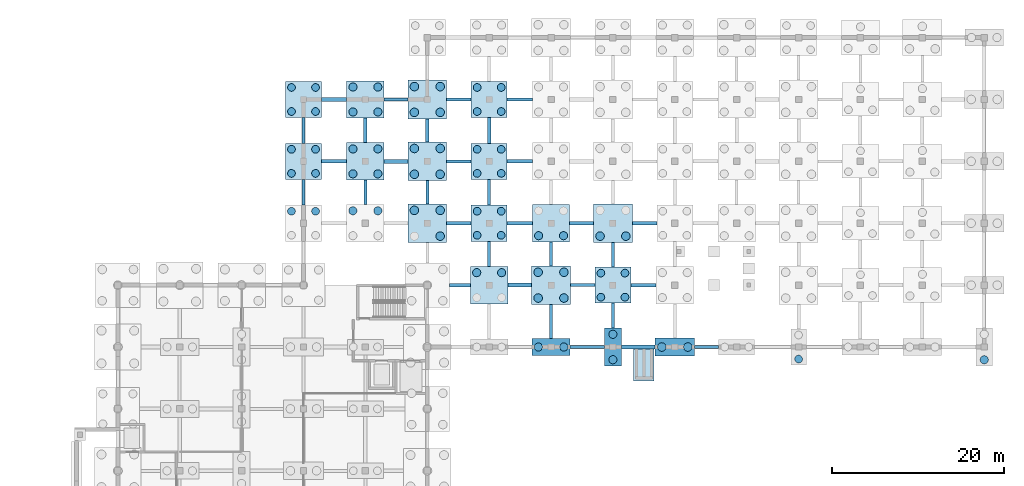
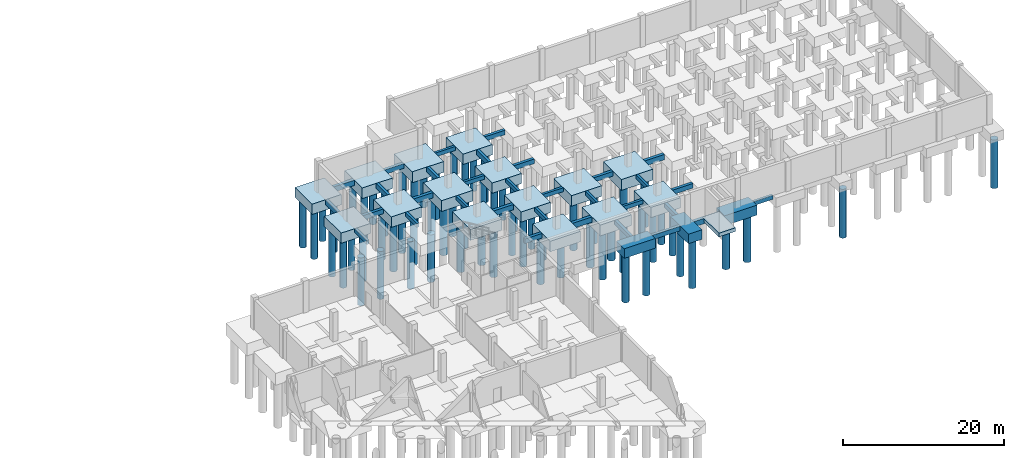
# One storey, part 13 of 35: 65 piles, 51 footings.
"""IFC4 building model written with IfcOpenShell, lengths in metres."""

from ifc_helpers import new_model, si_unit, direction, frame, origin, origin_2d, place, context, subcontext, project, spatial, rectangle, circle, extrude, material, material_profile, profile_set, type_object, element, save


model = new_model("IFC4")

# Units and contexts
model_context = context("Model", 3, precision=1e-05, world=origin(), true_north=direction((0.0, 1.0)))
body_context = subcontext(model_context, "Body", "Model", "MODEL_VIEW")
ifc_project = project(units=[si_unit("LENGTHUNIT", "METRE"), si_unit("AREAUNIT", "SQUARE_METRE"), si_unit("VOLUMEUNIT", "CUBIC_METRE"), si_unit("PLANEANGLEUNIT", "RADIAN"), si_unit("MASSUNIT", "GRAM", prefix="KILO"), si_unit("THERMODYNAMICTEMPERATUREUNIT", "KELVIN"), si_unit("POWERUNIT", "WATT")], contexts=[model_context])

# Site, building, storey
site_placement = place(None, origin())
site = spatial("IfcSite", under=ifc_project, at=site_placement, CompositionType="ELEMENT")
building_placement = place(site_placement, origin())
building = spatial("IfcBuilding", under=site, at=building_placement, Name="Kaldorven Railside Theatre", CompositionType="ELEMENT")
storey_placement = place(building_placement, frame((0.0, 0.0, -4.800048828125)))
storey = spatial("IfcBuildingStorey", under=building, at=storey_placement, Name="B1", CompositionType="ELEMENT", Elevation=-4.800048828125)

# Footings
ifc_material_1 = material(Name="Concrete C40/50", Category="concrete")
ifc_material_profile_1 = material_profile(ifc_material_1, rectangle(XDim=0.449951171875, YDim=0.800048828125, at=origin_2d()), Name="RC 450x800")
ifc_profile_set_1 = profile_set([ifc_material_profile_1], Name="Concrete C40/50")
footing_type_1 = type_object("IfcFootingType", Name="FTG-GB01", PredefinedType="FOOTING_BEAM", material=ifc_profile_set_1)
footing_1_placement = place(storey_placement, frame((145.77490234375, 105.60009765625, -0.39990234375), z_axis=(1.0, 0.0, 0.0), x_axis=(0.0, 1.0, 0.0)))
element("IfcFooting", 1, at=footing_1_placement, inside=storey, type_object=footing_type_1, Name="Foundation Tie Beam GB-360", PredefinedType="FOOTING_BEAM", context=body_context, shape_type="SweptSolid", body=[
    extrude(rectangle(XDim=0.449951171875, YDim=0.800048828125, at=origin_2d()), origin(), (0.0, 0.0, 1.0), 3.925048828125),
])
footing_2_placement = place(storey_placement, frame((132.574951171875, 112.800048828125, -0.39990234375), z_axis=(1.0, 0.0, 0.0), x_axis=(0.0, 1.0, 0.0)))
element("IfcFooting", 2, at=footing_2_placement, inside=storey, type_object=footing_type_1, Name="Foundation Tie Beam GB-378", PredefinedType="FOOTING_BEAM", context=body_context, shape_type="SweptSolid", body=[
    extrude(rectangle(XDim=0.449951171875, YDim=0.800048828125, at=origin_2d()), origin(), (0.0, 0.0, 1.0), 2.775146484375),
])
footing_3_placement = place(storey_placement, frame((125.449951171875, 120.0, -0.39990234375), z_axis=(1.0, 0.0, 0.0), x_axis=(0.0, 1.0, 0.0)))
element("IfcFooting", 3, at=footing_3_placement, inside=storey, type_object=footing_type_1, Name="Foundation Tie Beam GB-396", PredefinedType="FOOTING_BEAM", context=body_context, shape_type="SweptSolid", body=[
    extrude(rectangle(XDim=0.449951171875, YDim=0.800048828125, at=origin_2d()), origin(), (0.0, 0.0, 1.0), 2.85009765625),
])
footing_4_placement = place(storey_placement, frame((147.050048828125, 120.0, -0.39990234375), z_axis=(1.0, 0.0, 0.0), x_axis=(0.0, 1.0, 0.0)))
element("IfcFooting", 4, at=footing_4_placement, inside=storey, type_object=footing_type_1, Name="Foundation Tie Beam GB-402", PredefinedType="FOOTING_BEAM", context=body_context, shape_type="SweptSolid", body=[
    extrude(rectangle(XDim=0.449951171875, YDim=0.800048828125, at=origin_2d()), origin(), (0.0, 0.0, 1.0), 2.849853515625),
])
footing_5_placement = place(storey_placement, frame((118.175048828125, 127.199951171875, -0.39990234375), z_axis=(1.0, 0.0, 0.0), x_axis=(0.0, 1.0, 0.0)))
element("IfcFooting", 5, at=footing_5_placement, inside=storey, type_object=footing_type_1, Name="Foundation Tie Beam GB-417", PredefinedType="FOOTING_BEAM", context=body_context, shape_type="SweptSolid", body=[
    extrude(rectangle(XDim=0.449951171875, YDim=0.800048828125, at=origin_2d()), origin(), (0.0, 0.0, 1.0), 2.77490234375),
])
footing_6_placement = place(storey_placement, frame((110.89990234375, 134.39990234375, -0.39990234375), z_axis=(1.0, 0.0, 0.0), x_axis=(0.0, 1.0, 0.0)))
element("IfcFooting", 6, at=footing_6_placement, inside=storey, type_object=footing_type_1, Name="Foundation Tie Beam GB-438", PredefinedType="FOOTING_BEAM", context=body_context, shape_type="SweptSolid", body=[
    extrude(rectangle(XDim=0.449951171875, YDim=0.800048828125, at=origin_2d()), origin(), (0.0, 0.0, 1.0), 2.925048828125),
])
ifc_material_profile_2 = material_profile(ifc_material_1, rectangle(XDim=0.39990234375, YDim=0.699951171875, at=origin_2d()), Name="RC 400x700")
ifc_profile_set_2 = profile_set([ifc_material_profile_2], Name="Concrete C40/50")
footing_type_2 = type_object("IfcFootingType", Name="FTG-GB02", PredefinedType="FOOTING_BEAM", material=ifc_profile_set_2)
footing_7_placement = place(storey_placement, frame((139.824951171875, 105.60009765625, -0.349853515625), z_axis=(1.0, 0.0, 0.0), x_axis=(0.0, 1.0, 0.0)))
element("IfcFooting", 7, at=footing_7_placement, inside=storey, type_object=footing_type_2, Name="Foundation Tie Beam GB-358", PredefinedType="FOOTING_BEAM", context=body_context, shape_type="SweptSolid", body=[
    extrude(rectangle(XDim=0.39990234375, YDim=0.699951171875, at=origin_2d()), origin(), (0.0, 0.0, 1.0), 4.0),
])
footing_8_placement = place(storey_placement, frame((125.800048828125, 112.800048828125, -0.349853515625), z_axis=(1.0, 0.0, 0.0), x_axis=(0.0, 1.0, 0.0)))
element("IfcFooting", 8, at=footing_8_placement, inside=storey, type_object=footing_type_2, Name="Foundation Tie Beam GB-376", PredefinedType="FOOTING_BEAM", context=body_context, shape_type="SweptSolid", body=[
    extrude(rectangle(XDim=0.39990234375, YDim=0.699951171875, at=origin_2d()), origin(), (0.0, 0.0, 1.0), 2.425048828125),
])
footing_9_placement = place(storey_placement, frame((146.89990234375, 112.800048828125, -0.349853515625), z_axis=(1.0, 0.0, 0.0), x_axis=(0.0, 1.0, 0.0)))
element("IfcFooting", 9, at=footing_9_placement, inside=storey, type_object=footing_type_2, Name="Foundation Tie Beam GB-382", PredefinedType="FOOTING_BEAM", context=body_context, shape_type="SweptSolid", body=[
    extrude(rectangle(XDim=0.39990234375, YDim=0.699951171875, at=origin_2d()), origin(), (0.0, 0.0, 1.0), 2.925048828125),
])
footing_10_placement = place(storey_placement, frame((139.77490234375, 120.0, -0.349853515625), z_axis=(1.0, 0.0, 0.0), x_axis=(0.0, 1.0, 0.0)))
element("IfcFooting", 10, at=footing_10_placement, inside=storey, type_object=footing_type_2, Name="Foundation Tie Beam GB-400", PredefinedType="FOOTING_BEAM", context=body_context, shape_type="SweptSolid", body=[
    extrude(rectangle(XDim=0.39990234375, YDim=0.699951171875, at=origin_2d()), origin(), (0.0, 0.0, 1.0), 2.775146484375),
])
footing_11_placement = place(storey_placement, frame((110.89990234375, 127.199951171875, -0.349853515625), z_axis=(1.0, 0.0, 0.0), x_axis=(0.0, 1.0, 0.0)))
element("IfcFooting", 11, at=footing_11_placement, inside=storey, type_object=footing_type_2, Name="Foundation Tie Beam GB-415", PredefinedType="FOOTING_BEAM", context=body_context, shape_type="SweptSolid", body=[
    extrude(rectangle(XDim=0.39990234375, YDim=0.699951171875, at=origin_2d()), origin(), (0.0, 0.0, 1.0), 2.925048828125),
])
footing_12_placement = place(storey_placement, frame((108.800048828125, 129.300048828125, -0.349853515625), z_axis=(0.0, 1.0, 0.0), x_axis=(-1.0, 0.0, 0.0)))
element("IfcFooting", 12, at=footing_12_placement, inside=storey, type_object=footing_type_2, Name="Foundation Tie Beam GB-416", PredefinedType="FOOTING_BEAM", context=body_context, shape_type="SweptSolid", body=[
    extrude(rectangle(XDim=0.39990234375, YDim=0.699951171875, at=origin_2d()), origin(), (0.0, 0.0, 1.0), 3.0),
])
footing_13_placement = place(storey_placement, frame((116.0, 129.375, -0.349853515625), z_axis=(0.0, 1.0, 0.0), x_axis=(-1.0, 0.0, 0.0)))
element("IfcFooting", 13, at=footing_13_placement, inside=storey, type_object=footing_type_2, Name="Foundation Tie Beam GB-418", PredefinedType="FOOTING_BEAM", context=body_context, shape_type="SweptSolid", body=[
    extrude(rectangle(XDim=0.39990234375, YDim=0.699951171875, at=origin_2d()), origin(), (0.0, 0.0, 1.0), 2.85009765625),
])
footing_14_placement = place(storey_placement, frame((123.199951171875, 129.449951171875, -0.349853515625), z_axis=(0.0, 1.0, 0.0), x_axis=(-1.0, 0.0, 0.0)))
element("IfcFooting", 14, at=footing_14_placement, inside=storey, type_object=footing_type_2, Name="Foundation Tie Beam GB-420", PredefinedType="FOOTING_BEAM", context=body_context, shape_type="SweptSolid", body=[
    extrude(rectangle(XDim=0.39990234375, YDim=0.699951171875, at=origin_2d()), origin(), (0.0, 0.0, 1.0), 2.699951171875),
])
footing_15_placement = place(storey_placement, frame((132.5, 127.199951171875, -0.349853515625), z_axis=(1.0, 0.0, 0.0), x_axis=(0.0, 1.0, 0.0)))
element("IfcFooting", 15, at=footing_15_placement, inside=storey, type_object=footing_type_2, Name="Foundation Tie Beam GB-421", PredefinedType="FOOTING_BEAM", context=body_context, shape_type="SweptSolid", body=[
    extrude(rectangle(XDim=0.39990234375, YDim=0.699951171875, at=origin_2d()), origin(), (0.0, 0.0, 1.0), 2.925048828125),
])
footing_16_placement = place(storey_placement, frame((130.39990234375, 129.300048828125, -0.349853515625), z_axis=(0.0, 1.0, 0.0), x_axis=(-1.0, 0.0, 0.0)))
element("IfcFooting", 16, at=footing_16_placement, inside=storey, type_object=footing_type_2, Name="Foundation Tie Beam GB-422", PredefinedType="FOOTING_BEAM", context=body_context, shape_type="SweptSolid", body=[
    extrude(rectangle(XDim=0.39990234375, YDim=0.699951171875, at=origin_2d()), origin(), (0.0, 0.0, 1.0), 3.0),
])
footing_17_placement = place(storey_placement, frame((118.175048828125, 134.39990234375, -0.349853515625), z_axis=(1.0, 0.0, 0.0), x_axis=(0.0, 1.0, 0.0)))
element("IfcFooting", 17, at=footing_17_placement, inside=storey, type_object=footing_type_2, Name="Foundation Tie Beam GB-439", PredefinedType="FOOTING_BEAM", context=body_context, shape_type="SweptSolid", body=[
    extrude(rectangle(XDim=0.39990234375, YDim=0.699951171875, at=origin_2d()), origin(), (0.0, 0.0, 1.0), 2.77490234375),
])
footing_18_placement = place(storey_placement, frame((132.5, 134.39990234375, -0.349853515625), z_axis=(1.0, 0.0, 0.0), x_axis=(0.0, 1.0, 0.0)))
element("IfcFooting", 18, at=footing_18_placement, inside=storey, type_object=footing_type_2, Name="Foundation Tie Beam GB-442", PredefinedType="FOOTING_BEAM", context=body_context, shape_type="SweptSolid", body=[
    extrude(rectangle(XDim=0.39990234375, YDim=0.699951171875, at=origin_2d()), origin(), (0.0, 0.0, 1.0), 2.925048828125),
])
ifc_material_profile_3 = material_profile(ifc_material_1, rectangle(XDim=0.35009765625, YDim=0.60009765625, at=origin_2d()), Name="RC 350x600")
ifc_profile_set_3 = profile_set([ifc_material_profile_3], Name="Concrete C40/50")
footing_type_3 = type_object("IfcFootingType", Name="FTG-GB03", PredefinedType="FOOTING_BEAM", material=ifc_profile_set_3)
footing_19_placement = place(storey_placement, frame((137.60009765625, 106.574951171875, -0.300048828125), z_axis=(0.0, 1.0, 0.0), x_axis=(-1.0, 0.0, 0.0)))
element("IfcFooting", 19, at=footing_19_placement, inside=storey, type_object=footing_type_3, Name="Foundation Tie Beam GB-359", PredefinedType="FOOTING_BEAM", context=body_context, shape_type="SweptSolid", body=[
    extrude(rectangle(XDim=0.35009765625, YDim=0.60009765625, at=origin_2d()), origin(), (0.0, 0.0, 1.0), 3.97509765625),
])
footing_20_placement = place(storey_placement, frame((144.800048828125, 107.824951171875, -0.300048828125), z_axis=(0.0, 1.0, 0.0), x_axis=(-1.0, 0.0, 0.0)))
element("IfcFooting", 20, at=footing_20_placement, inside=storey, type_object=footing_type_3, Name="Foundation Tie Beam GB-361", PredefinedType="FOOTING_BEAM", context=body_context, shape_type="SweptSolid", body=[
    extrude(rectangle(XDim=0.35009765625, YDim=0.60009765625, at=origin_2d()), origin(), (0.0, 0.0, 1.0), 2.875),
])
footing_21_placement = place(storey_placement, frame((154.300048828125, 105.60009765625, -0.300048828125), z_axis=(1.0, 0.0, 0.0), x_axis=(0.0, 1.0, 0.0)))
element("IfcFooting", 21, at=footing_21_placement, inside=storey, type_object=footing_type_3, Name="Foundation Tie Beam GB-362", PredefinedType="FOOTING_BEAM", context=body_context, shape_type="SweptSolid", body=[
    extrude(rectangle(XDim=0.35009765625, YDim=0.60009765625, at=origin_2d()), origin(), (0.0, 0.0, 1.0), 2.800048828125),
])
footing_22_placement = place(storey_placement, frame((130.39990234375, 114.97509765625, -0.300048828125), z_axis=(0.0, 1.0, 0.0), x_axis=(-1.0, 0.0, 0.0)))
element("IfcFooting", 22, at=footing_22_placement, inside=storey, type_object=footing_type_3, Name="Foundation Tie Beam GB-379", PredefinedType="FOOTING_BEAM", context=body_context, shape_type="SweptSolid", body=[
    extrude(rectangle(XDim=0.35009765625, YDim=0.60009765625, at=origin_2d()), origin(), (0.0, 0.0, 1.0), 2.9248046875),
])
footing_23_placement = place(storey_placement, frame((139.85009765625, 112.800048828125, -0.300048828125), z_axis=(1.0, 0.0, 0.0), x_axis=(0.0, 1.0, 0.0)))
element("IfcFooting", 23, at=footing_23_placement, inside=storey, type_object=footing_type_3, Name="Foundation Tie Beam GB-380", PredefinedType="FOOTING_BEAM", context=body_context, shape_type="SweptSolid", body=[
    extrude(rectangle(XDim=0.35009765625, YDim=0.60009765625, at=origin_2d()), origin(), (0.0, 0.0, 1.0), 2.849853515625),
])
footing_24_placement = place(storey_placement, frame((137.60009765625, 115.050048828125, -0.300048828125), z_axis=(0.0, 1.0, 0.0), x_axis=(-1.0, 0.0, 0.0)))
element("IfcFooting", 24, at=footing_24_placement, inside=storey, type_object=footing_type_3, Name="Foundation Tie Beam GB-381", PredefinedType="FOOTING_BEAM", context=body_context, shape_type="SweptSolid", body=[
    extrude(rectangle(XDim=0.35009765625, YDim=0.60009765625, at=origin_2d()), origin(), (0.0, 0.0, 1.0), 2.77490234375),
])
footing_25_placement = place(storey_placement, frame((144.800048828125, 114.89990234375, -0.300048828125), z_axis=(0.0, 1.0, 0.0), x_axis=(-1.0, 0.0, 0.0)))
element("IfcFooting", 25, at=footing_25_placement, inside=storey, type_object=footing_type_3, Name="Foundation Tie Beam GB-383", PredefinedType="FOOTING_BEAM", context=body_context, shape_type="SweptSolid", body=[
    extrude(rectangle(XDim=0.35009765625, YDim=0.60009765625, at=origin_2d()), origin(), (0.0, 0.0, 1.0), 2.85009765625),
])
footing_26_placement = place(storey_placement, frame((108.800048828125, 122.10009765625, -0.300048828125), z_axis=(0.0, 1.0, 0.0), x_axis=(-1.0, 0.0, 0.0)))
element("IfcFooting", 26, at=footing_26_placement, inside=storey, type_object=footing_type_3, Name="Foundation Tie Beam GB-393", PredefinedType="FOOTING_BEAM", context=body_context, shape_type="SweptSolid", body=[
    extrude(rectangle(XDim=0.35009765625, YDim=0.60009765625, at=origin_2d()), origin(), (0.0, 0.0, 1.0), 3.0),
])
footing_27_placement = place(storey_placement, frame((116.0, 122.175048828125, -0.300048828125), z_axis=(0.0, 1.0, 0.0), x_axis=(-1.0, 0.0, 0.0)))
element("IfcFooting", 27, at=footing_27_placement, inside=storey, type_object=footing_type_3, Name="Foundation Tie Beam GB-395", PredefinedType="FOOTING_BEAM", context=body_context, shape_type="SweptSolid", body=[
    extrude(rectangle(XDim=0.35009765625, YDim=0.60009765625, at=origin_2d()), origin(), (0.0, 0.0, 1.0), 2.849853515625),
])
footing_28_placement = place(storey_placement, frame((123.199951171875, 122.25, -0.300048828125), z_axis=(0.0, 1.0, 0.0), x_axis=(-1.0, 0.0, 0.0)))
element("IfcFooting", 28, at=footing_28_placement, inside=storey, type_object=footing_type_3, Name="Foundation Tie Beam GB-397", PredefinedType="FOOTING_BEAM", context=body_context, shape_type="SweptSolid", body=[
    extrude(rectangle(XDim=0.35009765625, YDim=0.60009765625, at=origin_2d()), origin(), (0.0, 0.0, 1.0), 2.699951171875),
])
footing_29_placement = place(storey_placement, frame((132.5, 120.0, -0.300048828125), z_axis=(1.0, 0.0, 0.0), x_axis=(0.0, 1.0, 0.0)))
element("IfcFooting", 29, at=footing_29_placement, inside=storey, type_object=footing_type_3, Name="Foundation Tie Beam GB-398", PredefinedType="FOOTING_BEAM", context=body_context, shape_type="SweptSolid", body=[
    extrude(rectangle(XDim=0.35009765625, YDim=0.60009765625, at=origin_2d()), origin(), (0.0, 0.0, 1.0), 2.925048828125),
])
footing_30_placement = place(storey_placement, frame((130.39990234375, 122.10009765625, -0.300048828125), z_axis=(0.0, 1.0, 0.0), x_axis=(-1.0, 0.0, 0.0)))
element("IfcFooting", 30, at=footing_30_placement, inside=storey, type_object=footing_type_3, Name="Foundation Tie Beam GB-399", PredefinedType="FOOTING_BEAM", context=body_context, shape_type="SweptSolid", body=[
    extrude(rectangle(XDim=0.35009765625, YDim=0.60009765625, at=origin_2d()), origin(), (0.0, 0.0, 1.0), 3.0),
])
for number, where, z_axis, x_axis, name in (
    (31, (125.449951171875, 127.199951171875, -0.300048828125), (1.0, 0.0, 0.0), (0.0, 1.0, 0.0), "Foundation Tie Beam GB-419"),
    (32, (125.449951171875, 134.39990234375, -0.300048828125), (1.0, 0.0, 0.0), (0.0, 1.0, 0.0), "Foundation Tie Beam GB-440"),
):
    element("IfcFooting", number, at=place(storey_placement, frame(where, z_axis=z_axis, x_axis=x_axis)), inside=storey, type_object=footing_type_3, Name=name, PredefinedType="FOOTING_BEAM", context=body_context, shape_type="SweptSolid", body=[
        extrude(rectangle(XDim=0.35009765625, YDim=0.60009765625, at=origin_2d()), origin(), (0.0, 0.0, 1.0), 2.85009765625),
    ])
footing_type_4 = type_object("IfcFootingType", Name="FTG-PC06", PredefinedType="PILE_CAP", material=ifc_material_1)
footing_31_placement = place(storey_placement, frame((137.60009765625, 105.60009765625, -1.44970703125), z_axis=(0.0, 0.0, 1.0), x_axis=(1.0, 0.0, 0.0)))
element("IfcFooting", 33, at=footing_31_placement, inside=storey, type_object=footing_type_4, Name="Reinforced Concrete Pile Cap FC-201", PredefinedType="PILE_CAP", context=body_context, shape_type="SweptSolid", body=[
    extrude(rectangle(XDim=4.449951171875, YDim=1.949951171875, at=origin_2d()), origin(), (0.0, 0.0, 1.0), 1.449951171875),
])
footing_type_5 = type_object("IfcFootingType", Name="FTG-PC07", PredefinedType="PILE_CAP", material=ifc_material_1)
footing_32_placement = place(storey_placement, frame((144.800048828125, 105.60009765625, -1.44970703125), z_axis=(0.0, 0.0, 1.0), x_axis=(1.0, 0.0, 0.0)))
element("IfcFooting", 34, at=footing_32_placement, inside=storey, type_object=footing_type_5, Name="Reinforced Concrete Pile Cap FC-202", PredefinedType="PILE_CAP", context=body_context, shape_type="SweptSolid", body=[
    extrude(rectangle(XDim=1.949951171875, YDim=4.449951171875, at=origin_2d()), origin(), (0.0, 0.0, 1.0), 1.449951171875),
])
footing_type_6 = type_object("IfcFootingType", Name="FTG-PC08", PredefinedType="PILE_CAP", material=ifc_material_1)
footing_33_placement = place(storey_placement, frame((152.0, 105.60009765625, -1.5), z_axis=(0.0, 0.0, 1.0), x_axis=(1.0, 0.0, 0.0)))
element("IfcFooting", 35, at=footing_33_placement, inside=storey, type_object=footing_type_6, Name="Reinforced Concrete Pile Cap FC-203", PredefinedType="PILE_CAP", context=body_context, shape_type="SweptSolid", body=[
    extrude(rectangle(XDim=4.60009765625, YDim=2.050048828125, at=origin_2d()), origin(), (0.0, 0.0, 1.0), 1.5),
])
footing_type_7 = type_object("IfcFootingType", Name="FTG-PC12", PredefinedType="PILE_CAP", material=ifc_material_1)
for number, where, z_axis, x_axis, name in (
    (36, (144.800048828125, 112.800048828125, -1.5498046875), (0.0, 0.0, 1.0), (1.0, 0.0, 0.0), "Reinforced Concrete Pile Cap FC-216"),
    (37, (130.39990234375, 120.0, -1.5498046875), (0.0, 0.0, 1.0), (1.0, 0.0, 0.0), "Reinforced Concrete Pile Cap FC-225"),
    (38, (108.800048828125, 127.199951171875, -1.5498046875), (0.0, 0.0, 1.0), (1.0, 0.0, 0.0), "Reinforced Concrete Pile Cap FC-234"),
    (39, (130.39990234375, 127.199951171875, -1.5498046875), (0.0, 0.0, 1.0), (1.0, 0.0, 0.0), "Reinforced Concrete Pile Cap FC-237"),
    (40, (108.800048828125, 134.39990234375, -1.5498046875), (0.0, 0.0, 1.0), (1.0, 0.0, 0.0), "Reinforced Concrete Pile Cap FC-246"),
    (41, (130.39990234375, 134.39990234375, -1.5498046875), (0.0, 0.0, 1.0), (1.0, 0.0, 0.0), "Reinforced Concrete Pile Cap FC-249"),
):
    element("IfcFooting", number, at=place(storey_placement, frame(where, z_axis=z_axis, x_axis=x_axis)), inside=storey, type_object=footing_type_7, Name=name, PredefinedType="PILE_CAP", context=body_context, shape_type="SweptSolid", body=[
        extrude(rectangle(XDim=4.199951171875, YDim=4.199951171875, at=origin_2d()), origin(), (0.0, 0.0, 1.0), 1.550048828125),
    ])
footing_type_8 = type_object("IfcFootingType", Name="FTG-PC13", PredefinedType="PILE_CAP", material=ifc_material_1)
for number, where, z_axis, x_axis, name in (
    (42, (130.39990234375, 112.800048828125, -1.60009765625), (0.0, 0.0, 1.0), (1.0, 0.0, 0.0), "Reinforced Concrete Pile Cap FC-214"),
    (43, (137.60009765625, 120.0, -1.60009765625), (0.0, 0.0, 1.0), (1.0, 0.0, 0.0), "Reinforced Concrete Pile Cap FC-226"),
    (44, (116.0, 127.199951171875, -1.60009765625), (0.0, 0.0, 1.0), (1.0, 0.0, 0.0), "Reinforced Concrete Pile Cap FC-235"),
    (45, (116.0, 134.39990234375, -1.60009765625), (0.0, 0.0, 1.0), (1.0, 0.0, 0.0), "Reinforced Concrete Pile Cap FC-247"),
):
    element("IfcFooting", number, at=place(storey_placement, frame(where, z_axis=z_axis, x_axis=x_axis)), inside=storey, type_object=footing_type_8, Name=name, PredefinedType="PILE_CAP", context=body_context, shape_type="SweptSolid", body=[
        extrude(rectangle(XDim=4.35009765625, YDim=4.35009765625, at=origin_2d()), origin(), (0.0, 0.0, 1.0), 1.60009765625),
    ])
footing_type_9 = type_object("IfcFootingType", Name="FTG-PC14", PredefinedType="PILE_CAP", material=ifc_material_1)
for number, where, z_axis, x_axis, name in (
    (46, (137.60009765625, 112.800048828125, -1.64990234375), (0.0, 0.0, 1.0), (1.0, 0.0, 0.0), "Reinforced Concrete Pile Cap FC-215"),
    (47, (123.199951171875, 120.0, -1.64990234375), (0.0, 0.0, 1.0), (1.0, 0.0, 0.0), "Reinforced Concrete Pile Cap FC-224"),
    (48, (144.800048828125, 120.0, -1.64990234375), (0.0, 0.0, 1.0), (1.0, 0.0, 0.0), "Reinforced Concrete Pile Cap FC-227"),
    (49, (123.199951171875, 127.199951171875, -1.64990234375), (0.0, 0.0, 1.0), (1.0, 0.0, 0.0), "Reinforced Concrete Pile Cap FC-236"),
    (50, (123.199951171875, 134.39990234375, -1.64990234375), (0.0, 0.0, 1.0), (1.0, 0.0, 0.0), "Reinforced Concrete Pile Cap FC-248"),
):
    element("IfcFooting", number, at=place(storey_placement, frame(where, z_axis=z_axis, x_axis=x_axis)), inside=storey, type_object=footing_type_9, Name=name, PredefinedType="PILE_CAP", context=body_context, shape_type="SweptSolid", body=[
        extrude(rectangle(XDim=4.5, YDim=4.5, at=origin_2d()), origin(), (0.0, 0.0, 1.0), 1.64990234375),
    ])
footing_type_10 = type_object("IfcFootingType", Name="FTG-SF01", PredefinedType="PAD_FOOTING", material=ifc_material_1)
footing_34_placement = place(storey_placement, frame((148.39990234375, 103.7099609375, -0.5498046875), z_axis=(0.0, 0.0, 1.0), x_axis=(1.0, 0.0, 0.0)))
element("IfcFooting", 51, at=footing_34_placement, inside=storey, type_object=footing_type_10, Name="Arrival Ramp Foundation Pad FRM-06", PredefinedType="PAD_FOOTING", context=body_context, shape_type="SweptSolid", body=[
    extrude(rectangle(XDim=2.39990234375, YDim=4.10009765625, at=origin_2d()), origin(), (0.0, 0.0, 1.0), 0.550048828125),
])

# Piles
ifc_material_2 = material(Name="Concrete C35/45", Category="concrete")
ifc_material_profile_4 = material_profile(ifc_material_2, circle(Radius=0.5, at=origin_2d()), Name="BP D1000")
ifc_profile_set_4 = profile_set([ifc_material_profile_4], Name="Concrete C35/45")
pile_type_1 = type_object("IfcPileType", Name="PIL-D1000", PredefinedType="BORED", material=ifc_profile_set_4)
for number, where, z_axis, x_axis, name in (
    (52, (150.47998046875, 105.60009765625, -1.39990234375), (0.0, 0.0, -1.0), (1.0, 0.0, 0.0), "Bored Bedrock Socket Pile BP-152-105-1"),
    (53, (153.52001953125, 105.60009765625, -1.39990234375), (0.0, 0.0, -1.0), (1.0, 0.0, 0.0), "Bored Bedrock Socket Pile BP-152-105-2"),
):
    element("IfcPile", number, at=place(storey_placement, frame(where, z_axis=z_axis, x_axis=x_axis)), inside=storey, type_object=pile_type_1, Name=name, PredefinedType="BORED", context=body_context, shape_type="SweptSolid", body=[
        extrude(circle(Radius=0.5, at=origin_2d()), origin(), (0.0, 0.0, 1.0), 7.300048828125),
    ])
for number, where, z_axis, x_axis, name in (
    (54, (136.10009765625, 111.300048828125, -1.550048828125), (0.0, 0.0, -1.0), (1.0, 0.0, 0.0), "Bored Bedrock Socket Pile BP-137-112-1"),
    (55, (139.10009765625, 111.300048828125, -1.550048828125), (0.0, 0.0, -1.0), (1.0, 0.0, 0.0), "Bored Bedrock Socket Pile BP-137-112-2"),
    (56, (136.10009765625, 114.300048828125, -1.550048828125), (0.0, 0.0, -1.0), (1.0, 0.0, 0.0), "Bored Bedrock Socket Pile BP-137-112-3"),
    (57, (139.10009765625, 114.300048828125, -1.550048828125), (0.0, 0.0, -1.0), (1.0, 0.0, 0.0), "Bored Bedrock Socket Pile BP-137-112-4"),
    (58, (124.699951171875, 118.5, -1.550048828125), (0.0, 0.0, -1.0), (1.0, 0.0, 0.0), "Bored Bedrock Socket Pile BP-123-120-2"),
    (59, (121.699951171875, 121.5, -1.550048828125), (0.0, 0.0, -1.0), (1.0, 0.0, 0.0), "Bored Bedrock Socket Pile BP-123-120-3"),
    (60, (124.699951171875, 121.5, -1.550048828125), (0.0, 0.0, -1.0), (1.0, 0.0, 0.0), "Bored Bedrock Socket Pile BP-123-120-4"),
    (61, (143.300048828125, 118.5, -1.550048828125), (0.0, 0.0, -1.0), (1.0, 0.0, 0.0), "Bored Bedrock Socket Pile BP-144-120-1"),
    (62, (146.300048828125, 118.5, -1.550048828125), (0.0, 0.0, -1.0), (1.0, 0.0, 0.0), "Bored Bedrock Socket Pile BP-144-120-2"),
    (63, (121.699951171875, 125.699951171875, -1.550048828125), (0.0, 0.0, -1.0), (1.0, 0.0, 0.0), "Bored Bedrock Socket Pile BP-123-127-1"),
    (64, (124.699951171875, 125.699951171875, -1.550048828125), (0.0, 0.0, -1.0), (1.0, 0.0, 0.0), "Bored Bedrock Socket Pile BP-123-127-2"),
    (65, (121.699951171875, 128.699951171875, -1.550048828125), (0.0, 0.0, -1.0), (1.0, 0.0, 0.0), "Bored Bedrock Socket Pile BP-123-127-3"),
    (66, (124.699951171875, 128.699951171875, -1.550048828125), (0.0, 0.0, -1.0), (1.0, 0.0, 0.0), "Bored Bedrock Socket Pile BP-123-127-4"),
    (67, (121.699951171875, 132.89990234375, -1.550048828125), (0.0, 0.0, -1.0), (1.0, 0.0, 0.0), "Bored Bedrock Socket Pile BP-123-134-1"),
    (68, (124.699951171875, 132.89990234375, -1.550048828125), (0.0, 0.0, -1.0), (1.0, 0.0, 0.0), "Bored Bedrock Socket Pile BP-123-134-2"),
    (69, (121.699951171875, 135.89990234375, -1.550048828125), (0.0, 0.0, -1.0), (1.0, 0.0, 0.0), "Bored Bedrock Socket Pile BP-123-134-3"),
    (70, (124.699951171875, 135.89990234375, -1.550048828125), (0.0, 0.0, -1.0), (1.0, 0.0, 0.0), "Bored Bedrock Socket Pile BP-123-134-4"),
):
    element("IfcPile", number, at=place(storey_placement, frame(where, z_axis=z_axis, x_axis=x_axis)), inside=storey, type_object=pile_type_1, Name=name, PredefinedType="BORED", context=body_context, shape_type="SweptSolid", body=[
        extrude(circle(Radius=0.5, at=origin_2d()), origin(), (0.0, 0.0, 1.0), 7.14990234375),
    ])
ifc_material_profile_5 = material_profile(ifc_material_2, circle(Radius=0.449951171875, at=origin_2d()), Name="BP D900")
ifc_profile_set_5 = profile_set([ifc_material_profile_5], Name="Concrete C35/45")
pile_type_2 = type_object("IfcPileType", Name="PIL-D900", PredefinedType="BORED", material=ifc_profile_set_5)
pile_placement = place(storey_placement, frame((166.39990234375, 104.199951171875, -1.300048828125), z_axis=(0.0, 0.0, -1.0), x_axis=(1.0, 0.0, 0.0)))
element("IfcPile", 71, at=pile_placement, inside=storey, type_object=pile_type_2, Name="Bored Bedrock Socket Pile BP-166-105-1", PredefinedType="BORED", context=body_context, shape_type="SweptSolid", body=[
    extrude(circle(Radius=0.449951171875, at=origin_2d()), origin(), (0.0, 0.0, 1.0), 7.39990234375),
])
for number, where, z_axis, x_axis, name in (
    (72, (143.39990234375, 111.39990234375, -1.449951171875), (0.0, 0.0, -1.0), (1.0, 0.0, 0.0), "Bored Bedrock Socket Pile BP-144-112-1"),
    (73, (146.199951171875, 111.39990234375, -1.449951171875), (0.0, 0.0, -1.0), (1.0, 0.0, 0.0), "Bored Bedrock Socket Pile BP-144-112-2"),
    (74, (143.39990234375, 114.199951171875, -1.449951171875), (0.0, 0.0, -1.0), (1.0, 0.0, 0.0), "Bored Bedrock Socket Pile BP-144-112-3"),
    (75, (146.199951171875, 114.199951171875, -1.449951171875), (0.0, 0.0, -1.0), (1.0, 0.0, 0.0), "Bored Bedrock Socket Pile BP-144-112-4"),
    (76, (107.39990234375, 121.39990234375, -1.449951171875), (0.0, 0.0, -1.0), (1.0, 0.0, 0.0), "Bored Bedrock Socket Pile BP-108-120-3"),
    (77, (110.199951171875, 121.39990234375, -1.449951171875), (0.0, 0.0, -1.0), (1.0, 0.0, 0.0), "Bored Bedrock Socket Pile BP-108-120-4"),
    (78, (129.0, 118.60009765625, -1.449951171875), (0.0, 0.0, -1.0), (1.0, 0.0, 0.0), "Bored Bedrock Socket Pile BP-130-120-1"),
    (79, (131.800048828125, 118.60009765625, -1.449951171875), (0.0, 0.0, -1.0), (1.0, 0.0, 0.0), "Bored Bedrock Socket Pile BP-130-120-2"),
    (80, (129.0, 121.39990234375, -1.449951171875), (0.0, 0.0, -1.0), (1.0, 0.0, 0.0), "Bored Bedrock Socket Pile BP-130-120-3"),
    (81, (131.800048828125, 121.39990234375, -1.449951171875), (0.0, 0.0, -1.0), (1.0, 0.0, 0.0), "Bored Bedrock Socket Pile BP-130-120-4"),
    (82, (107.39990234375, 125.800048828125, -1.449951171875), (0.0, 0.0, -1.0), (1.0, 0.0, 0.0), "Bored Bedrock Socket Pile BP-108-127-1"),
    (83, (110.199951171875, 125.800048828125, -1.449951171875), (0.0, 0.0, -1.0), (1.0, 0.0, 0.0), "Bored Bedrock Socket Pile BP-108-127-2"),
    (84, (107.39990234375, 128.60009765625, -1.449951171875), (0.0, 0.0, -1.0), (1.0, 0.0, 0.0), "Bored Bedrock Socket Pile BP-108-127-3"),
    (85, (110.199951171875, 128.60009765625, -1.449951171875), (0.0, 0.0, -1.0), (1.0, 0.0, 0.0), "Bored Bedrock Socket Pile BP-108-127-4"),
    (86, (129.0, 125.800048828125, -1.449951171875), (0.0, 0.0, -1.0), (1.0, 0.0, 0.0), "Bored Bedrock Socket Pile BP-130-127-1"),
    (87, (131.800048828125, 125.800048828125, -1.449951171875), (0.0, 0.0, -1.0), (1.0, 0.0, 0.0), "Bored Bedrock Socket Pile BP-130-127-2"),
    (88, (129.0, 128.60009765625, -1.449951171875), (0.0, 0.0, -1.0), (1.0, 0.0, 0.0), "Bored Bedrock Socket Pile BP-130-127-3"),
    (89, (131.800048828125, 128.60009765625, -1.449951171875), (0.0, 0.0, -1.0), (1.0, 0.0, 0.0), "Bored Bedrock Socket Pile BP-130-127-4"),
    (90, (107.39990234375, 133.0, -1.449951171875), (0.0, 0.0, -1.0), (1.0, 0.0, 0.0), "Bored Bedrock Socket Pile BP-108-134-1"),
    (91, (110.199951171875, 133.0, -1.449951171875), (0.0, 0.0, -1.0), (1.0, 0.0, 0.0), "Bored Bedrock Socket Pile BP-108-134-2"),
    (92, (107.39990234375, 135.800048828125, -1.449951171875), (0.0, 0.0, -1.0), (1.0, 0.0, 0.0), "Bored Bedrock Socket Pile BP-108-134-3"),
    (93, (110.199951171875, 135.800048828125, -1.449951171875), (0.0, 0.0, -1.0), (1.0, 0.0, 0.0), "Bored Bedrock Socket Pile BP-108-134-4"),
    (94, (129.0, 133.0, -1.449951171875), (0.0, 0.0, -1.0), (1.0, 0.0, 0.0), "Bored Bedrock Socket Pile BP-130-134-1"),
    (95, (131.800048828125, 133.0, -1.449951171875), (0.0, 0.0, -1.0), (1.0, 0.0, 0.0), "Bored Bedrock Socket Pile BP-130-134-2"),
    (96, (129.0, 135.800048828125, -1.449951171875), (0.0, 0.0, -1.0), (1.0, 0.0, 0.0), "Bored Bedrock Socket Pile BP-130-134-3"),
    (97, (131.800048828125, 135.800048828125, -1.449951171875), (0.0, 0.0, -1.0), (1.0, 0.0, 0.0), "Bored Bedrock Socket Pile BP-130-134-4"),
):
    element("IfcPile", number, at=place(storey_placement, frame(where, z_axis=z_axis, x_axis=x_axis)), inside=storey, type_object=pile_type_2, Name=name, PredefinedType="BORED", context=body_context, shape_type="SweptSolid", body=[
        extrude(circle(Radius=0.449951171875, at=origin_2d()), origin(), (0.0, 0.0, 1.0), 7.25),
    ])
ifc_material_profile_6 = material_profile(ifc_material_2, circle(Radius=0.47509765625, at=origin_2d()), Name="BP D950")
ifc_profile_set_6 = profile_set([ifc_material_profile_6], Name="Concrete C35/45")
pile_type_3 = type_object("IfcPileType", Name="PIL-D950", PredefinedType="BORED", material=ifc_profile_set_6)
for number, where, z_axis, x_axis, name in (
    (98, (136.1201171875, 105.60009765625, -1.349853515625), (0.0, 0.0, -1.0), (1.0, 0.0, 0.0), "Bored Bedrock Socket Pile BP-137-105-1"),
    (99, (139.080078125, 105.60009765625, -1.349853515625), (0.0, 0.0, -1.0), (1.0, 0.0, 0.0), "Bored Bedrock Socket Pile BP-137-105-2"),
    (100, (144.800048828125, 104.1201171875, -1.349853515625), (0.0, 0.0, -1.0), (1.0, 0.0, 0.0), "Bored Bedrock Socket Pile BP-144-105-1"),
    (101, (144.800048828125, 107.080078125, -1.349853515625), (0.0, 0.0, -1.0), (1.0, 0.0, 0.0), "Bored Bedrock Socket Pile BP-144-105-2"),
    (102, (188.0, 104.1201171875, -1.349853515625), (0.0, 0.0, -1.0), (1.0, 0.0, 0.0), "Bored Bedrock Socket Pile BP-188-105-1"),
):
    element("IfcPile", number, at=place(storey_placement, frame(where, z_axis=z_axis, x_axis=x_axis)), inside=storey, type_object=pile_type_3, Name=name, PredefinedType="BORED", context=body_context, shape_type="SweptSolid", body=[
        extrude(circle(Radius=0.47509765625, at=origin_2d()), origin(), (0.0, 0.0, 1.0), 7.35009765625),
    ])
for number, where, z_axis, x_axis, name in (
    (103, (128.949951171875, 114.25, -1.5), (0.0, 0.0, -1.0), (1.0, 0.0, 0.0), "Bored Bedrock Socket Pile BP-130-112-3"),
    (104, (131.85009765625, 114.25, -1.5), (0.0, 0.0, -1.0), (1.0, 0.0, 0.0), "Bored Bedrock Socket Pile BP-130-112-4"),
    (105, (114.550048828125, 121.449951171875, -1.5), (0.0, 0.0, -1.0), (1.0, 0.0, 0.0), "Bored Bedrock Socket Pile BP-116-120-3"),
    (106, (117.449951171875, 121.449951171875, -1.5), (0.0, 0.0, -1.0), (1.0, 0.0, 0.0), "Bored Bedrock Socket Pile BP-116-120-4"),
    (107, (136.14990234375, 118.550048828125, -1.5), (0.0, 0.0, -1.0), (1.0, 0.0, 0.0), "Bored Bedrock Socket Pile BP-137-120-1"),
    (108, (139.050048828125, 118.550048828125, -1.5), (0.0, 0.0, -1.0), (1.0, 0.0, 0.0), "Bored Bedrock Socket Pile BP-137-120-2"),
    (109, (114.550048828125, 125.75, -1.5), (0.0, 0.0, -1.0), (1.0, 0.0, 0.0), "Bored Bedrock Socket Pile BP-116-127-1"),
    (110, (117.449951171875, 125.75, -1.5), (0.0, 0.0, -1.0), (1.0, 0.0, 0.0), "Bored Bedrock Socket Pile BP-116-127-2"),
    (111, (114.550048828125, 128.64990234375, -1.5), (0.0, 0.0, -1.0), (1.0, 0.0, 0.0), "Bored Bedrock Socket Pile BP-116-127-3"),
    (112, (117.449951171875, 128.64990234375, -1.5), (0.0, 0.0, -1.0), (1.0, 0.0, 0.0), "Bored Bedrock Socket Pile BP-116-127-4"),
    (113, (114.550048828125, 132.949951171875, -1.5), (0.0, 0.0, -1.0), (1.0, 0.0, 0.0), "Bored Bedrock Socket Pile BP-116-134-1"),
    (114, (117.449951171875, 132.949951171875, -1.5), (0.0, 0.0, -1.0), (1.0, 0.0, 0.0), "Bored Bedrock Socket Pile BP-116-134-2"),
    (115, (114.550048828125, 135.85009765625, -1.5), (0.0, 0.0, -1.0), (1.0, 0.0, 0.0), "Bored Bedrock Socket Pile BP-116-134-3"),
    (116, (117.449951171875, 135.85009765625, -1.5), (0.0, 0.0, -1.0), (1.0, 0.0, 0.0), "Bored Bedrock Socket Pile BP-116-134-4"),
):
    element("IfcPile", number, at=place(storey_placement, frame(where, z_axis=z_axis, x_axis=x_axis)), inside=storey, type_object=pile_type_3, Name=name, PredefinedType="BORED", context=body_context, shape_type="SweptSolid", body=[
        extrude(circle(Radius=0.47509765625, at=origin_2d()), origin(), (0.0, 0.0, 1.0), 7.199951171875),
    ])

save(model, "model.ifc")
